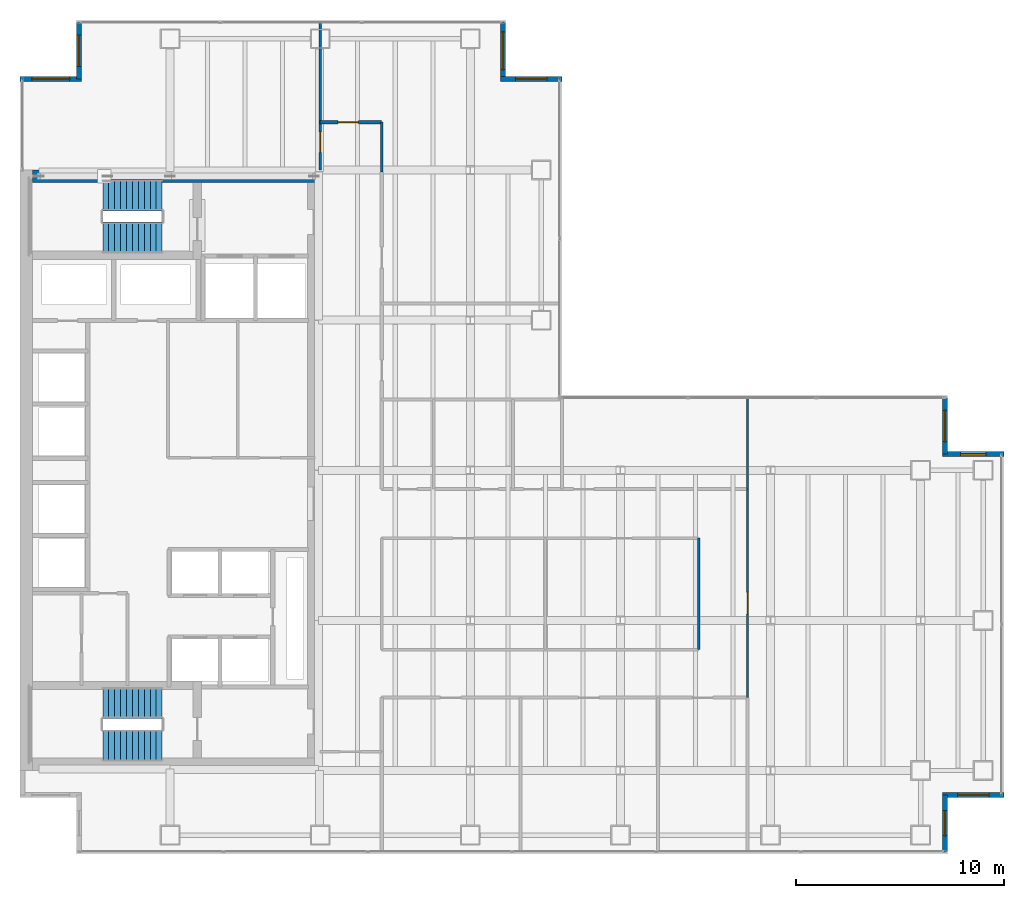
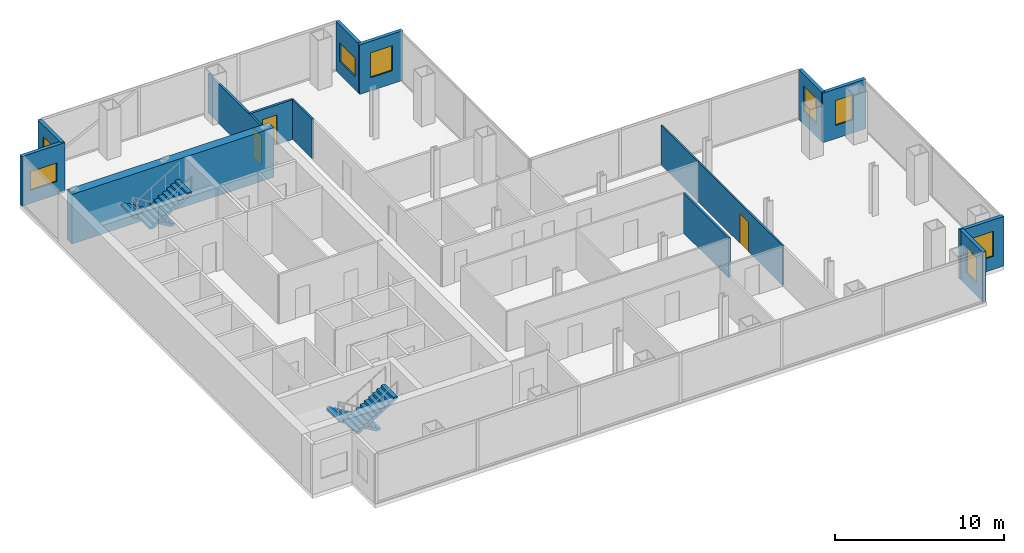
# One storey, part 22 of 23: 15 walls, 8 windows, 4 stair flights, 3 doors, 11 openings, 2 elements without a shape of their own.
"""IFC4 building model written with IfcOpenShell, lengths in metres."""

from ifc_helpers import new_model, si_unit, direction, frame, frame_2d, origin, place, context, subcontext, project, spatial, polyline, rectangle, outline, extrude, material, layer, layer_set, type_object, element, fill, aggregate, save


model = new_model("IFC4")

# Units and contexts
model_context = context("Model", 3, precision=1e-05, world=origin(), true_north=direction((0.0, 1.0)))
body_context = subcontext(model_context, "Body", "Model", "MODEL_VIEW")
ifc_project = project(units=[si_unit("LENGTHUNIT", "METRE"), si_unit("AREAUNIT", "SQUARE_METRE"), si_unit("VOLUMEUNIT", "CUBIC_METRE"), si_unit("PLANEANGLEUNIT", "RADIAN"), si_unit("MASSUNIT", "GRAM", prefix="KILO")], contexts=[model_context])

# Site, building, storey
site_placement = place(None, origin())
site = spatial("IfcSite", under=ifc_project, at=site_placement, CompositionType="ELEMENT")
building_placement = place(site_placement, origin())
building = spatial("IfcBuilding", under=site, at=building_placement, Name="Cobrela Telecom Tower", CompositionType="ELEMENT")
storey_placement = place(building_placement, frame((0.0, 0.0, 113.75)))
storey = spatial("IfcBuildingStorey", under=building, at=storey_placement, Name="L28", CompositionType="ELEMENT", Elevation=113.75)

# Wall
ifc_material_1 = material(Name="Concrete C50/60", Category="concrete")
ifc_layer_1 = layer(ifc_material_1, 0.60009765625)
ifc_layer_set_1 = layer_set([ifc_layer_1], Name="Concrete C50/60")
wall_type_1 = type_object("IfcWallType", Name="WALL-CORE-C50-600", PredefinedType="SHEAR", material=ifc_layer_set_1)
wall_1_placement = place(storey_placement, frame((0.60009765625, 35.699951171875, 0.0), z_axis=(0.0, 0.0, 1.0), x_axis=(1.0, 0.0, 0.0)))
element("IfcWall", 1, at=wall_1_placement, inside=storey, type_object=wall_type_1, Name="L28 North Core Shear Wall", PredefinedType="SHEAR", context=body_context, shape_type="SweptSolid", body=[
    extrude(rectangle(XDim=13.7998046875, YDim=0.60009765625, at=frame_2d((6.89990234375, 0.0))), origin(), (0.0, 0.0, 1.0), 3.580078125),
])

# Wall, opening, window
ifc_material_2 = material(Name="Concrete C40/50", Category="concrete")
ifc_layer_2 = layer(ifc_material_2, 0.239990234375)
ifc_layer_set_2 = layer_set([ifc_layer_2], Name="Concrete C40/50")
wall_type_2 = type_object("IfcWallType", Name="WALL-EXT-300", PredefinedType="STANDARD", material=ifc_layer_set_2)
wall_2_placement = place(storey_placement, frame((0.0, 40.3701171875, 0.0), z_axis=(0.0, 0.0, 1.0), x_axis=(1.0, 0.0, 0.0)))
wall_2 = element("IfcWall", 2, at=wall_2_placement, inside=storey, type_object=wall_type_2, Name="L28 Insulated Facade Wall 05", PredefinedType="STANDARD", context=body_context, shape_type="SweptSolid", body=[
    extrude(rectangle(XDim=2.949951171875, YDim=0.239990234375, at=frame_2d((1.47509765625, 0.0))), origin(), (0.0, 0.0, 1.0), 3.580078125),
])
opening_1_placement = place(wall_2_placement, frame((0.574951171875, 0.0, 0.949951171875)))
opening_1 = element("IfcOpeningElement", 3, at=opening_1_placement, cuts=wall_2, Name="Opening WN-27", PredefinedType="OPENING", context=body_context, shape_type="SweptSolid", body=[
    extrude(rectangle(XDim=1.800048828125, YDim=1.35009765625, at=frame_2d((0.89990234375, 0.675048828125))), frame((0.0, 0.1318359375, 0.0), z_axis=(0.0, -1.0, 0.0), x_axis=(1.0, 0.0, 0.0)), (0.0, 0.0, 1.0), 0.263916015625),
])
ifc_material_3 = material(Name="Solar-Control Bronze Low-E Glass", Category="glass")
window_type_1 = type_object("IfcWindowType", Name="WIN-CLER-1800", PartitioningType="SINGLE_PANEL", PredefinedType="WINDOW", material=ifc_material_3)
window_1_placement = place(opening_1_placement, origin())
window_1 = element("IfcWindow", 4, at=window_1_placement, inside=storey, type_object=window_type_1, Name="L28 Corner Notch Facade Window 132", OverallHeight=1.35009765625, OverallWidth=1.800048828125, PartitioningType="SINGLE_PANEL", PredefinedType="WINDOW", context=body_context, shape_type="SweptSolid", body=[
    extrude(rectangle(XDim=1.800048828125, YDim=1.35009765625, at=frame_2d((0.89990234375, 0.675048828125))), frame((0.0, 0.030029296875, 0.0), z_axis=(0.0, -1.0, 0.0), x_axis=(1.0, 0.0, 0.0)), (0.0, 0.0, 1.0), 0.06005859375),
])
fill(opening_1, window_1)

wall_3_placement = place(storey_placement, frame((2.830078125, 40.3701171875, 0.0), z_axis=(0.0, 0.0, 1.0), x_axis=(0.0, 1.0, 0.0)))
wall_3 = element("IfcWall", 5, at=wall_3_placement, inside=storey, type_object=wall_type_2, Name="L28 Insulated Facade Wall 06", PredefinedType="STANDARD", context=body_context, shape_type="SweptSolid", body=[
    extrude(rectangle(XDim=2.7099609375, YDim=0.239990234375, at=frame_2d((1.35498046875, 0.0))), origin(), (0.0, 0.0, 1.0), 3.580078125),
])
opening_2_placement = place(wall_3_placement, frame((0.60498046875, 0.0, 0.949951171875)))
opening_2 = element("IfcOpeningElement", 6, at=opening_2_placement, cuts=wall_3, Name="Opening WN-45", PredefinedType="OPENING", context=body_context, shape_type="SweptSolid", body=[
    extrude(rectangle(XDim=1.5, YDim=1.800048828125, at=frame_2d((0.75, 0.89990234375))), frame((0.0, 0.1318359375, 0.0), z_axis=(0.0, -1.0, 0.0), x_axis=(1.0, 0.0, 0.0)), (0.0, 0.0, 1.0), 0.263916015625),
])
window_type_2 = type_object("IfcWindowType", Name="WIN-MOD-1500", PartitioningType="SINGLE_PANEL", PredefinedType="WINDOW", material=ifc_material_3)
window_2_placement = place(opening_2_placement, origin())
window_2 = element("IfcWindow", 7, at=window_2_placement, inside=storey, type_object=window_type_2, Name="L28 Corner Notch Facade Window 133", OverallHeight=1.800048828125, OverallWidth=1.5, PartitioningType="SINGLE_PANEL", PredefinedType="WINDOW", context=body_context, shape_type="SweptSolid", body=[
    extrude(rectangle(XDim=1.5, YDim=1.800048828125, at=frame_2d((0.75, 0.89990234375))), frame((0.0, 0.030029296875, 0.0), z_axis=(0.0, -1.0, 0.0), x_axis=(1.0, 0.0, 0.0)), (0.0, 0.0, 1.0), 0.06005859375),
])
fill(opening_2, window_2)

wall_4_placement = place(storey_placement, frame((23.169921875, 43.080078125, 0.0), z_axis=(0.0, 0.0, 1.0), x_axis=(0.0, -1.0, 0.0)))
wall_4 = element("IfcWall", 8, at=wall_4_placement, inside=storey, type_object=wall_type_2, Name="L28 Insulated Facade Wall 08", PredefinedType="STANDARD", context=body_context, shape_type="SweptSolid", body=[
    extrude(rectangle(XDim=2.7099609375, YDim=0.239990234375, at=frame_2d((1.35498046875, 0.0))), origin(), (0.0, 0.0, 1.0), 3.580078125),
])
opening_3_placement = place(wall_4_placement, frame((0.455078125, 0.0, 0.949951171875)))
opening_3 = element("IfcOpeningElement", 9, at=opening_3_placement, cuts=wall_4, Name="Opening WN-27", PredefinedType="OPENING", context=body_context, shape_type="SweptSolid", body=[
    extrude(rectangle(XDim=1.800048828125, YDim=1.35009765625, at=frame_2d((0.89990234375, 0.675048828125))), frame((0.0, 0.1318359375, 0.0), z_axis=(0.0, -1.0, 0.0), x_axis=(1.0, 0.0, 0.0)), (0.0, 0.0, 1.0), 0.263916015625),
])
window_3_placement = place(opening_3_placement, origin())
window_3 = element("IfcWindow", 10, at=window_3_placement, inside=storey, type_object=window_type_1, Name="L28 Corner Notch Facade Window 134", OverallHeight=1.35009765625, OverallWidth=1.800048828125, PartitioningType="SINGLE_PANEL", PredefinedType="WINDOW", context=body_context, shape_type="SweptSolid", body=[
    extrude(rectangle(XDim=1.800048828125, YDim=1.35009765625, at=frame_2d((0.89990234375, 0.675048828125))), frame((0.0, 0.030029296875, 0.0), z_axis=(0.0, -1.0, 0.0), x_axis=(1.0, 0.0, 0.0)), (0.0, 0.0, 1.0), 0.06005859375),
])
fill(opening_3, window_3)

wall_5_placement = place(storey_placement, frame((23.050048828125, 40.3701171875, 0.0), z_axis=(0.0, 0.0, 1.0), x_axis=(1.0, 0.0, 0.0)))
wall_5 = element("IfcWall", 11, at=wall_5_placement, inside=storey, type_object=wall_type_2, Name="L28 Insulated Facade Wall 09", PredefinedType="STANDARD", context=body_context, shape_type="SweptSolid", body=[
    extrude(rectangle(XDim=2.949951171875, YDim=0.239990234375, at=frame_2d((1.47509765625, 0.0))), origin(), (0.0, 0.0, 1.0), 3.580078125),
])
opening_4_placement = place(wall_5_placement, frame((0.72509765625, 0.0, 0.949951171875)))
opening_4 = element("IfcOpeningElement", 12, at=opening_4_placement, cuts=wall_5, Name="Opening WN-45", PredefinedType="OPENING", context=body_context, shape_type="SweptSolid", body=[
    extrude(rectangle(XDim=1.5, YDim=1.800048828125, at=frame_2d((0.75, 0.89990234375))), frame((0.0, 0.1318359375, 0.0), z_axis=(0.0, -1.0, 0.0), x_axis=(1.0, 0.0, 0.0)), (0.0, 0.0, 1.0), 0.263916015625),
])
window_4_placement = place(opening_4_placement, origin())
window_4 = element("IfcWindow", 13, at=window_4_placement, inside=storey, type_object=window_type_2, Name="L28 Corner Notch Facade Window 135", OverallHeight=1.800048828125, OverallWidth=1.5, PartitioningType="SINGLE_PANEL", PredefinedType="WINDOW", context=body_context, shape_type="SweptSolid", body=[
    extrude(rectangle(XDim=1.5, YDim=1.800048828125, at=frame_2d((0.75, 0.89990234375))), frame((0.0, 0.030029296875, 0.0), z_axis=(0.0, -1.0, 0.0), x_axis=(1.0, 0.0, 0.0)), (0.0, 0.0, 1.0), 0.06005859375),
])
fill(opening_4, window_4)

wall_6_placement = place(storey_placement, frame((44.3701171875, 25.080078125, 0.0), z_axis=(0.0, 0.0, 1.0), x_axis=(0.0, -1.0, 0.0)))
wall_6 = element("IfcWall", 14, at=wall_6_placement, inside=storey, type_object=wall_type_2, Name="L28 Insulated Facade Wall 12", PredefinedType="STANDARD", context=body_context, shape_type="SweptSolid", body=[
    extrude(rectangle(XDim=2.7099609375, YDim=0.239990234375, at=frame_2d((1.35498046875, 0.0))), origin(), (0.0, 0.0, 1.0), 3.580078125),
])
opening_5_placement = place(wall_6_placement, frame((0.60498046875, 0.0, 0.949951171875)))
opening_5 = element("IfcOpeningElement", 15, at=opening_5_placement, cuts=wall_6, Name="Opening WN-45", PredefinedType="OPENING", context=body_context, shape_type="SweptSolid", body=[
    extrude(rectangle(XDim=1.5, YDim=1.800048828125, at=frame_2d((0.75, 0.89990234375))), frame((0.0, 0.1318359375, 0.0), z_axis=(0.0, -1.0, 0.0), x_axis=(1.0, 0.0, 0.0)), (0.0, 0.0, 1.0), 0.263916015625),
])
window_5_placement = place(opening_5_placement, origin())
window_5 = element("IfcWindow", 16, at=window_5_placement, inside=storey, type_object=window_type_2, Name="L28 Corner Notch Facade Window 136", OverallHeight=1.800048828125, OverallWidth=1.5, PartitioningType="SINGLE_PANEL", PredefinedType="WINDOW", context=body_context, shape_type="SweptSolid", body=[
    extrude(rectangle(XDim=1.5, YDim=1.800048828125, at=frame_2d((0.75, 0.89990234375))), frame((0.0, 0.030029296875, 0.0), z_axis=(0.0, -1.0, 0.0), x_axis=(1.0, 0.0, 0.0)), (0.0, 0.0, 1.0), 0.06005859375),
])
fill(opening_5, window_5)

wall_7_placement = place(storey_placement, frame((44.25, 22.3701171875, 0.0), z_axis=(0.0, 0.0, 1.0), x_axis=(1.0, 0.0, 0.0)))
wall_7 = element("IfcWall", 17, at=wall_7_placement, inside=storey, type_object=wall_type_2, Name="L28 Insulated Facade Wall 13", PredefinedType="STANDARD", context=body_context, shape_type="SweptSolid", body=[
    extrude(rectangle(XDim=2.949951171875, YDim=0.239990234375, at=frame_2d((1.47509765625, 0.0))), origin(), (0.0, 0.0, 1.0), 3.580078125),
])
opening_6_placement = place(wall_7_placement, frame((0.875, 0.0, 0.949951171875)))
opening_6 = element("IfcOpeningElement", 18, at=opening_6_placement, cuts=wall_7, Name="Opening WN-19", PredefinedType="OPENING", context=body_context, shape_type="SweptSolid", body=[
    extrude(rectangle(XDim=1.199951171875, YDim=1.800048828125, at=frame_2d((0.60009765625, 0.89990234375))), frame((0.0, 0.1318359375, 0.0), z_axis=(0.0, -1.0, 0.0), x_axis=(1.0, 0.0, 0.0)), (0.0, 0.0, 1.0), 0.263916015625),
])
window_type_3 = type_object("IfcWindowType", Name="WIN-MOD-1200", PartitioningType="SINGLE_PANEL", PredefinedType="WINDOW", material=ifc_material_3)
window_6_placement = place(opening_6_placement, origin())
window_6 = element("IfcWindow", 19, at=window_6_placement, inside=storey, type_object=window_type_3, Name="L28 Corner Notch Facade Window 137", OverallHeight=1.800048828125, OverallWidth=1.199951171875, PartitioningType="SINGLE_PANEL", PredefinedType="WINDOW", context=body_context, shape_type="SweptSolid", body=[
    extrude(rectangle(XDim=1.199951171875, YDim=1.800048828125, at=frame_2d((0.60009765625, 0.89990234375))), frame((0.0, 0.030029296875, 0.0), z_axis=(0.0, -1.0, 0.0), x_axis=(1.0, 0.0, 0.0)), (0.0, 0.0, 1.0), 0.06005859375),
])
fill(opening_6, window_6)

wall_8_placement = place(storey_placement, frame((47.199951171875, 6.030029296875, 0.0), z_axis=(0.0, 0.0, 1.0), x_axis=(-1.0, 0.0, 0.0)))
wall_8 = element("IfcWall", 20, at=wall_8_placement, inside=storey, type_object=wall_type_2, Name="L28 Insulated Facade Wall 15", PredefinedType="STANDARD", context=body_context, shape_type="SweptSolid", body=[
    extrude(rectangle(XDim=2.949951171875, YDim=0.239990234375, at=frame_2d((1.47509765625, 0.0))), origin(), (0.0, 0.0, 1.0), 3.580078125),
])
opening_7_placement = place(wall_8_placement, frame((0.72509765625, 0.0, 0.949951171875)))
opening_7 = element("IfcOpeningElement", 21, at=opening_7_placement, cuts=wall_8, Name="Opening WN-45", PredefinedType="OPENING", context=body_context, shape_type="SweptSolid", body=[
    extrude(rectangle(XDim=1.5, YDim=1.800048828125, at=frame_2d((0.75, 0.89990234375))), frame((0.0, 0.1318359375, 0.0), z_axis=(0.0, -1.0, 0.0), x_axis=(1.0, 0.0, 0.0)), (0.0, 0.0, 1.0), 0.263916015625),
])
window_7_placement = place(opening_7_placement, origin())
window_7 = element("IfcWindow", 22, at=window_7_placement, inside=storey, type_object=window_type_2, Name="L28 Corner Notch Facade Window 138", OverallHeight=1.800048828125, OverallWidth=1.5, PartitioningType="SINGLE_PANEL", PredefinedType="WINDOW", context=body_context, shape_type="SweptSolid", body=[
    extrude(rectangle(XDim=1.5, YDim=1.800048828125, at=frame_2d((0.75, 0.89990234375))), frame((0.0, 0.030029296875, 0.0), z_axis=(0.0, -1.0, 0.0), x_axis=(1.0, 0.0, 0.0)), (0.0, 0.0, 1.0), 0.06005859375),
])
fill(opening_7, window_7)

wall_9_placement = place(storey_placement, frame((44.3701171875, 6.030029296875, 0.0), z_axis=(0.0, 0.0, 1.0), x_axis=(0.0, -1.0, 0.0)))
wall_9 = element("IfcWall", 23, at=wall_9_placement, inside=storey, type_object=wall_type_2, Name="L28 Insulated Facade Wall 16", PredefinedType="STANDARD", context=body_context, shape_type="SweptSolid", body=[
    extrude(rectangle(XDim=2.7099609375, YDim=0.239990234375, at=frame_2d((1.35498046875, 0.0))), origin(), (0.0, 0.0, 1.0), 3.580078125),
])
opening_8_placement = place(wall_9_placement, frame((0.7548828125, 0.0, 0.949951171875)))
opening_8 = element("IfcOpeningElement", 24, at=opening_8_placement, cuts=wall_9, Name="Opening WN-19", PredefinedType="OPENING", context=body_context, shape_type="SweptSolid", body=[
    extrude(rectangle(XDim=1.199951171875, YDim=1.800048828125, at=frame_2d((0.60009765625, 0.89990234375))), frame((0.0, 0.1318359375, 0.0), z_axis=(0.0, -1.0, 0.0), x_axis=(1.0, 0.0, 0.0)), (0.0, 0.0, 1.0), 0.263916015625),
])
window_8_placement = place(opening_8_placement, origin())
window_8 = element("IfcWindow", 25, at=window_8_placement, inside=storey, type_object=window_type_3, Name="L28 Corner Notch Facade Window 139", OverallHeight=1.800048828125, OverallWidth=1.199951171875, PartitioningType="SINGLE_PANEL", PredefinedType="WINDOW", context=body_context, shape_type="SweptSolid", body=[
    extrude(rectangle(XDim=1.199951171875, YDim=1.800048828125, at=frame_2d((0.60009765625, 0.89990234375))), frame((0.0, 0.030029296875, 0.0), z_axis=(0.0, -1.0, 0.0), x_axis=(1.0, 0.0, 0.0)), (0.0, 0.0, 1.0), 0.06005859375),
])
fill(opening_8, window_8)

# Wall, opening, door
ifc_material_4 = material(Name="Fire-Rated Gypsum Plasterboard")
ifc_layer_3 = layer(ifc_material_4, 0.110107421875)
ifc_layer_set_3 = layer_set([ifc_layer_3], Name="Fire-Rated Gypsum Plasterboard")
wall_type_3 = type_object("IfcWallType", Name="WALL-PART-110", PredefinedType="PARTITIONING", material=ifc_layer_set_3)
wall_10_placement = place(storey_placement, frame((34.89990234375, 10.699951171875, 0.0), z_axis=(0.0, 0.0, 1.0), x_axis=(0.0, 1.0, 0.0)))
wall_10 = element("IfcWall", 26, at=wall_10_placement, inside=storey, type_object=wall_type_3, Name="L28 Interior Partition W-UE-E", PredefinedType="PARTITIONING", context=body_context, shape_type="SweptSolid", body=[
    extrude(rectangle(XDim=10.0, YDim=0.110107421875, at=frame_2d((5.0, 0.0))), origin(), (0.0, 0.0, 1.0), 2.868896484375),
])
opening_9_placement = place(wall_10_placement, frame((4.0, 0.0, 0.0)))
opening_9 = element("IfcOpeningElement", 27, at=opening_9_placement, cuts=wall_10, Name="Opening DR-29", PredefinedType="OPENING", context=body_context, shape_type="SweptSolid", body=[
    extrude(rectangle(XDim=1.050048828125, YDim=2.14990234375, at=frame_2d((0.52490234375, 1.074951171875))), frame((0.0, 0.06689453125, 0.0), z_axis=(0.0, -1.0, 0.0), x_axis=(1.0, 0.0, 0.0)), (0.0, 0.0, 1.0), 0.134033203125),
])
ifc_material_5 = material(Name="Solid Engineered Oak Timber", Category="wood")
door_type_1 = type_object("IfcDoorType", Name="DOOR-INT-1050", OperationType="SINGLE_SWING_LEFT", PredefinedType="DOOR", material=ifc_material_5)
door_1_placement = place(opening_9_placement, origin())
door_1 = element("IfcDoor", 28, at=door_1_placement, inside=storey, type_object=door_type_1, Name="L28 Door DR-29", OperationType="SINGLE_SWING_LEFT", OverallHeight=2.14990234375, OverallWidth=1.050048828125, PredefinedType="DOOR", context=body_context, shape_type="SweptSolid", body=[
    extrude(rectangle(XDim=1.050048828125, YDim=2.14990234375, at=frame_2d((0.52490234375, 1.074951171875))), frame((0.0, 0.02490234375, 0.0), z_axis=(0.0, -1.0, 0.0), x_axis=(1.0, 0.0, 0.0)), (0.0, 0.0, 1.0), 0.050048828125),
])
fill(opening_9, door_1)

# Walls
wall_11_placement = place(storey_placement, frame((17.35009765625, 35.89990234375, 0.0), z_axis=(0.0, 0.0, 1.0), x_axis=(0.0, 1.0, 0.0)))
element("IfcWall", 29, at=wall_11_placement, inside=storey, type_object=wall_type_3, Name="L28 Interior Partition W-UWN-E", PredefinedType="PARTITIONING", context=body_context, shape_type="SweptSolid", body=[
    extrude(rectangle(XDim=2.400146484375, YDim=0.110107421875, at=frame_2d((1.2001953125, 0.0))), origin(), (0.0, 0.0, 1.0), 2.868896484375),
])
wall_12_placement = place(storey_placement, frame((34.89990234375, 20.699951171875, 0.0), z_axis=(0.0, 0.0, 1.0), x_axis=(0.0, 1.0, 0.0)))
element("IfcWall", 30, at=wall_12_placement, inside=storey, type_object=wall_type_3, Name="L28 Interior Partition W-UFE-N", PredefinedType="PARTITIONING", context=body_context, shape_type="SweptSolid", body=[
    extrude(rectangle(XDim=4.380126953125, YDim=0.110107421875, at=frame_2d((2.18994140625, 0.0))), origin(), (0.0, 0.0, 1.0), 2.868896484375),
])
ifc_layer_4 = layer(ifc_material_4, 0.125)
ifc_layer_set_4 = layer_set([ifc_layer_4], Name="Fire-Rated Gypsum Plasterboard")
wall_type_4 = type_object("IfcWallType", Name="WALL-PART-125", PredefinedType="PARTITIONING", material=ifc_layer_set_4)
wall_13_placement = place(storey_placement, frame((32.550048828125, 13.0, 0.0), z_axis=(0.0, 0.0, 1.0), x_axis=(0.0, 1.0, 0.0)))
element("IfcWall", 31, at=wall_13_placement, inside=storey, type_object=wall_type_4, Name="L28 Interior Partition W-ISL-E", PredefinedType="PARTITIONING", context=body_context, shape_type="SweptSolid", body=[
    extrude(rectangle(XDim=5.35009765625, YDim=0.125, at=frame_2d((2.675048828125, 0.0))), origin(), (0.0, 0.0, 1.0), 2.868896484375),
])

# Wall, opening, door
ifc_layer_5 = layer(ifc_material_4, 0.135009765625)
ifc_layer_set_5 = layer_set([ifc_layer_5], Name="Fire-Rated Gypsum Plasterboard")
wall_type_5 = type_object("IfcWallType", Name="WALL-PART-135", PredefinedType="PARTITIONING", material=ifc_layer_set_5)
wall_14_placement = place(storey_placement, frame((14.39990234375, 36.0, 0.0), z_axis=(0.0, 0.0, 1.0), x_axis=(0.0, 1.0, 0.0)))
wall_14 = element("IfcWall", 32, at=wall_14_placement, inside=storey, type_object=wall_type_5, Name="L28 Interior Partition W-UWN-W", PredefinedType="PARTITIONING", context=body_context, shape_type="SweptSolid", body=[
    extrude(rectangle(XDim=7.080078125, YDim=0.135009765625, at=frame_2d((3.5400390625, 0.0))), origin(), (0.0, 0.0, 1.0), 2.868896484375),
])
opening_10_placement = place(wall_14_placement, frame((0.85009765625, 0.0, 0.0)))
opening_10 = element("IfcOpeningElement", 33, at=opening_10_placement, cuts=wall_14, Name="Opening DR-17", PredefinedType="OPENING", context=body_context, shape_type="SweptSolid", body=[
    extrude(rectangle(XDim=0.97998046875, YDim=2.14990234375, at=frame_2d((0.489990234375, 1.074951171875))), frame((0.0, 0.07958984375, 0.0), z_axis=(0.0, -1.0, 0.0), x_axis=(1.0, 0.0, 0.0)), (0.0, 0.0, 1.0), 0.158935546875),
])
door_type_2 = type_object("IfcDoorType", Name="DOOR-INT-980", OperationType="SINGLE_SWING_LEFT", PredefinedType="DOOR", material=ifc_material_5)
door_2_placement = place(opening_10_placement, origin())
door_2 = element("IfcDoor", 34, at=door_2_placement, inside=storey, type_object=door_type_2, Name="L28 Door DR-17", OperationType="SINGLE_SWING_LEFT", OverallHeight=2.14990234375, OverallWidth=0.97998046875, PredefinedType="DOOR", context=body_context, shape_type="SweptSolid", body=[
    extrude(rectangle(XDim=0.97998046875, YDim=2.14990234375, at=frame_2d((0.489990234375, 1.074951171875))), frame((0.0, 0.02490234375, 0.0), z_axis=(0.0, -1.0, 0.0), x_axis=(1.0, 0.0, 0.0)), (0.0, 0.0, 1.0), 0.050048828125),
])
fill(opening_10, door_2)

ifc_layer_6 = layer(ifc_material_4, 0.159912109375)
ifc_layer_set_6 = layer_set([ifc_layer_6], Name="Fire-Rated Gypsum Plasterboard")
wall_type_6 = type_object("IfcWallType", Name="WALL-PART-160", PredefinedType="PARTITIONING", material=ifc_layer_set_6)
wall_15_placement = place(storey_placement, frame((14.39990234375, 38.300048828125, 0.0), z_axis=(0.0, 0.0, 1.0), x_axis=(1.0, 0.0, 0.0)))
wall_15 = element("IfcWall", 35, at=wall_15_placement, inside=storey, type_object=wall_type_6, Name="L28 Interior Partition W-UWN-T", PredefinedType="PARTITIONING", context=body_context, shape_type="SweptSolid", body=[
    extrude(rectangle(XDim=2.9501953125, YDim=0.159912109375, at=frame_2d((1.47509765625, 0.0))), origin(), (0.0, 0.0, 1.0), 2.868896484375),
])
opening_11_placement = place(wall_15_placement, frame((0.85009765625, 0.0, 0.0)))
opening_11 = element("IfcOpeningElement", 36, at=opening_11_placement, cuts=wall_15, Name="Opening DR-17", PredefinedType="OPENING", context=body_context, shape_type="SweptSolid", body=[
    extrude(rectangle(XDim=0.97998046875, YDim=2.14990234375, at=frame_2d((0.489990234375, 1.074951171875))), frame((0.0, 0.091796875, 0.0), z_axis=(0.0, -1.0, 0.0), x_axis=(1.0, 0.0, 0.0)), (0.0, 0.0, 1.0), 0.183837890625),
])
door_3_placement = place(opening_11_placement, origin())
door_3 = element("IfcDoor", 37, at=door_3_placement, inside=storey, type_object=door_type_2, Name="L28 Door DR-17", OperationType="SINGLE_SWING_RIGHT", OverallHeight=2.14990234375, OverallWidth=0.97998046875, PredefinedType="DOOR", context=body_context, shape_type="SweptSolid", body=[
    extrude(rectangle(XDim=0.97998046875, YDim=2.14990234375, at=frame_2d((0.489990234375, 1.074951171875))), frame((0.0, 0.02490234375, 0.0), z_axis=(0.0, -1.0, 0.0), x_axis=(1.0, 0.0, 0.0)), (0.0, 0.0, 1.0), 0.050048828125),
])
fill(opening_11, door_3)

# Stair, stair flights
stair_type = type_object("IfcStairType", Name="STAIR-CORE", PredefinedType="HALF_TURN_STAIR", material=ifc_material_2)
stair_1_placement = place(storey_placement, origin())
stair_1 = element("IfcStair", 38, at=stair_1_placement, inside=storey, type_object=stair_type, Name="L28 Smokeproof Exit Stair ST1", PredefinedType="HALF_TURN_STAIR")
stair_flight_type = type_object("IfcStairFlightType", Name="FLIGHT-CORE", PredefinedType="STRAIGHT", material=ifc_material_2)
stair_flight_1_placement = place(storey_placement, frame((6.820068359375, 34.800048828125, 0.0), z_axis=(0.0, 0.0, 1.0), x_axis=(-1.0, 0.0, 0.0)))
stair_flight_1 = element("IfcStairFlight", 39, at=stair_flight_1_placement, type_object=stair_flight_type, Name="ST1 flight 1", NumberOfRisers=11, NumberOfTreads=10, PredefinedType="STRAIGHT", RiserHeight=0.175, TreadLength=0.285, context=body_context, shape_type="SweptSolid", body=[
    extrude(outline(polyline([(0.0, 0.0), (0.0, 0.175048828125), (0.284912109375, 0.175048828125), (0.284912109375, 0.35009765625), (0.570068359375, 0.35009765625), (0.570068359375, 0.52490234375), (0.85498046875, 0.52490234375), (0.85498046875, 0.699951171875), (1.139892578125, 0.699951171875), (1.139892578125, 0.875), (1.425048828125, 0.875), (1.425048828125, 1.050048828125), (1.7099609375, 1.050048828125), (1.7099609375, 1.22509765625), (1.9951171875, 1.22509765625), (1.9951171875, 1.39990234375), (2.280029296875, 1.39990234375), (2.280029296875, 1.574951171875), (2.56494140625, 1.574951171875), (2.56494140625, 1.75), (2.85009765625, 1.75), (2.85009765625, 1.925048828125), (2.85009765625, 1.573974609375), (0.286376953125, 0.0), (0.0, 0.0)])), frame((0.0, 0.75, 0.0), z_axis=(0.0, -1.0, 0.0), x_axis=(1.0, 0.0, 0.0)), (0.0, 0.0, 1.0), 1.5),
])
stair_flight_2_placement = place(storey_placement, frame((3.969970703125, 32.75, 1.925048828125), z_axis=(0.0, 0.0, 1.0), x_axis=(1.0, 0.0, 0.0)))
stair_flight_2 = element("IfcStairFlight", 40, at=stair_flight_2_placement, type_object=stair_flight_type, Name="ST1 flight 2", NumberOfRisers=11, NumberOfTreads=10, PredefinedType="STRAIGHT", RiserHeight=0.175, TreadLength=0.285, context=body_context, shape_type="SweptSolid", body=[
    extrude(outline(polyline([(0.0, 0.0), (0.0, 0.175048828125), (0.284912109375, 0.175048828125), (0.284912109375, 0.35009765625), (0.570068359375, 0.35009765625), (0.570068359375, 0.52490234375), (0.85498046875, 0.52490234375), (0.85498046875, 0.699951171875), (1.139892578125, 0.699951171875), (1.139892578125, 0.875), (1.425048828125, 0.875), (1.425048828125, 1.050048828125), (1.7099609375, 1.050048828125), (1.7099609375, 1.22509765625), (1.9951171875, 1.22509765625), (1.9951171875, 1.39990234375), (2.280029296875, 1.39990234375), (2.280029296875, 1.574951171875), (2.56494140625, 1.574951171875), (2.56494140625, 1.75), (2.85009765625, 1.75), (2.85009765625, 1.925048828125), (2.85009765625, 1.573974609375), (0.286376953125, 0.0), (0.0, 0.0)])), frame((0.0, 0.75, 0.0), z_axis=(0.0, -1.0, 0.0), x_axis=(1.0, 0.0, 0.0)), (0.0, 0.0, 1.0), 1.5),
])
aggregate(stair_1, [stair_flight_1, stair_flight_2])

stair_2_placement = place(storey_placement, origin())
stair_2 = element("IfcStair", 41, at=stair_2_placement, inside=storey, type_object=stair_type, Name="L28 Smokeproof Exit Stair ST2", PredefinedType="HALF_TURN_STAIR")
stair_flight_3_placement = place(storey_placement, frame((6.820068359375, 10.449951171875, 0.0), z_axis=(0.0, 0.0, 1.0), x_axis=(-1.0, 0.0, 0.0)))
stair_flight_3 = element("IfcStairFlight", 42, at=stair_flight_3_placement, type_object=stair_flight_type, Name="ST2 flight 1", NumberOfRisers=11, NumberOfTreads=10, PredefinedType="STRAIGHT", RiserHeight=0.175, TreadLength=0.285, context=body_context, shape_type="SweptSolid", body=[
    extrude(outline(polyline([(0.0, 0.0), (0.0, 0.175048828125), (0.284912109375, 0.175048828125), (0.284912109375, 0.35009765625), (0.570068359375, 0.35009765625), (0.570068359375, 0.52490234375), (0.85498046875, 0.52490234375), (0.85498046875, 0.699951171875), (1.139892578125, 0.699951171875), (1.139892578125, 0.875), (1.425048828125, 0.875), (1.425048828125, 1.050048828125), (1.7099609375, 1.050048828125), (1.7099609375, 1.22509765625), (1.9951171875, 1.22509765625), (1.9951171875, 1.39990234375), (2.280029296875, 1.39990234375), (2.280029296875, 1.574951171875), (2.56494140625, 1.574951171875), (2.56494140625, 1.75), (2.85009765625, 1.75), (2.85009765625, 1.925048828125), (2.85009765625, 1.573974609375), (0.286376953125, 0.0), (0.0, 0.0)])), frame((0.0, 0.75, 0.0), z_axis=(0.0, -1.0, 0.0), x_axis=(1.0, 0.0, 0.0)), (0.0, 0.0, 1.0), 1.5),
])
stair_flight_4_placement = place(storey_placement, frame((3.969970703125, 8.39990234375, 1.925048828125), z_axis=(0.0, 0.0, 1.0), x_axis=(1.0, 0.0, 0.0)))
stair_flight_4 = element("IfcStairFlight", 43, at=stair_flight_4_placement, type_object=stair_flight_type, Name="ST2 flight 2", NumberOfRisers=11, NumberOfTreads=10, PredefinedType="STRAIGHT", RiserHeight=0.175, TreadLength=0.285, context=body_context, shape_type="SweptSolid", body=[
    extrude(outline(polyline([(0.0, 0.0), (0.0, 0.175048828125), (0.284912109375, 0.175048828125), (0.284912109375, 0.35009765625), (0.570068359375, 0.35009765625), (0.570068359375, 0.52490234375), (0.85498046875, 0.52490234375), (0.85498046875, 0.699951171875), (1.139892578125, 0.699951171875), (1.139892578125, 0.875), (1.425048828125, 0.875), (1.425048828125, 1.050048828125), (1.7099609375, 1.050048828125), (1.7099609375, 1.22509765625), (1.9951171875, 1.22509765625), (1.9951171875, 1.39990234375), (2.280029296875, 1.39990234375), (2.280029296875, 1.574951171875), (2.56494140625, 1.574951171875), (2.56494140625, 1.75), (2.85009765625, 1.75), (2.85009765625, 1.925048828125), (2.85009765625, 1.573974609375), (0.286376953125, 0.0), (0.0, 0.0)])), frame((0.0, 0.75, 0.0), z_axis=(0.0, -1.0, 0.0), x_axis=(1.0, 0.0, 0.0)), (0.0, 0.0, 1.0), 1.5),
])
aggregate(stair_2, [stair_flight_3, stair_flight_4])

save(model, "model.ifc")
